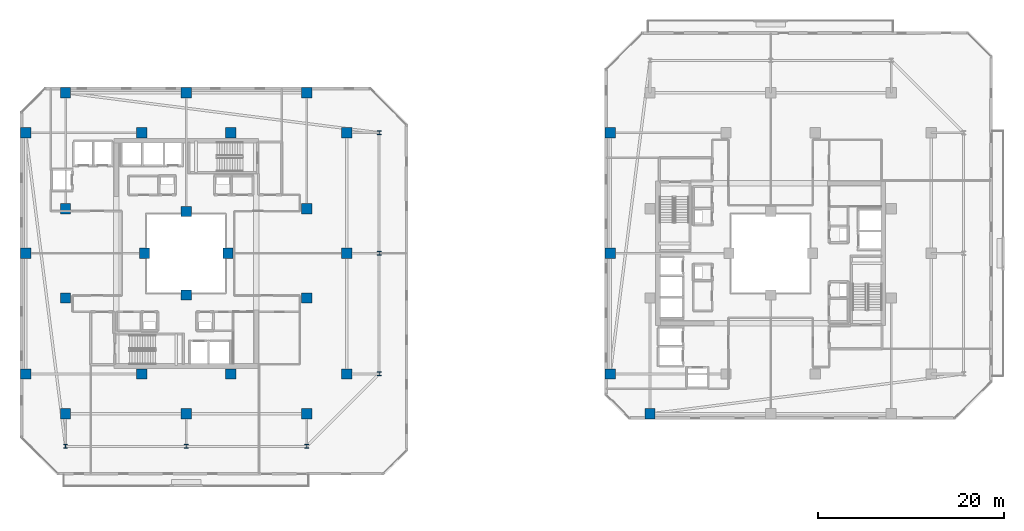
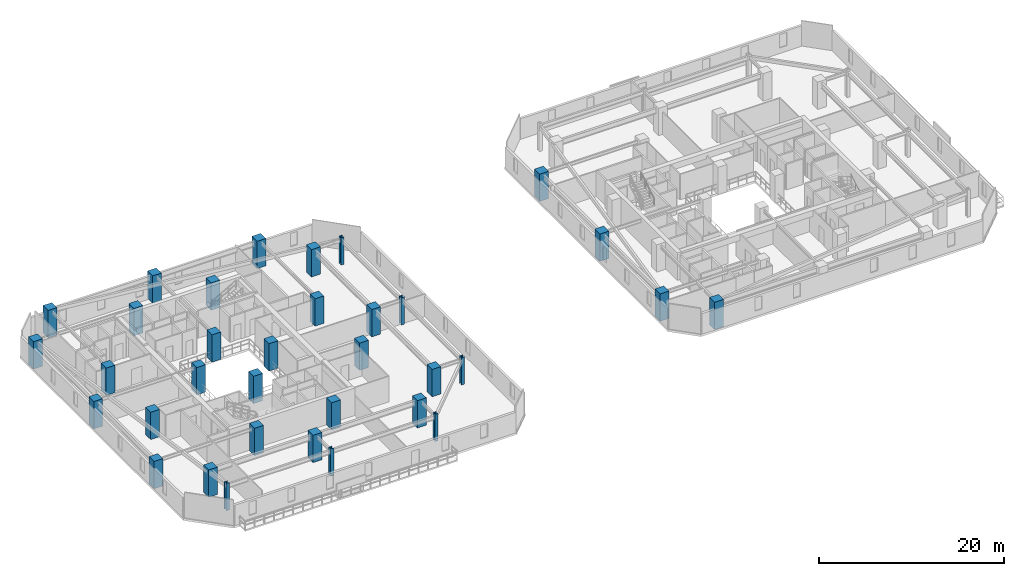
# One storey, part 1 of 32: 34 columns.
"""IFC4 building model written with IfcOpenShell, lengths in metres."""

from ifc_helpers import new_model, si_unit, direction, frame, origin, origin_2d, place, context, subcontext, project, spatial, rectangle, i_section, extrude, material, material_profile, profile_set, type_object, element, save


model = new_model("IFC4")

# Units and contexts
model_context = context("Model", 3, precision=1e-05, world=origin(), true_north=direction((0.0, 1.0)))
body_context = subcontext(model_context, "Body", "Model", "MODEL_VIEW")
ifc_project = project(units=[si_unit("LENGTHUNIT", "METRE"), si_unit("AREAUNIT", "SQUARE_METRE"), si_unit("VOLUMEUNIT", "CUBIC_METRE"), si_unit("PLANEANGLEUNIT", "RADIAN"), si_unit("MASSUNIT", "GRAM", prefix="KILO")], contexts=[model_context])

# Site, building, storey
site_placement = place(None, origin())
site = spatial("IfcSite", under=ifc_project, at=site_placement, CompositionType="ELEMENT")
building_placement = place(site_placement, origin())
building = spatial("IfcBuilding", under=site, at=building_placement, Name="Thornwick Lancets Civic Towers", CompositionType="ELEMENT")
storey_placement = place(building_placement, frame((0.0, 0.0, 152.699951171875)))
storey = spatial("IfcBuildingStorey", under=building, at=storey_placement, Name="L40", CompositionType="ELEMENT", Elevation=152.699951171875)

# Columns
ifc_material_1 = material(Name="Concrete C50/60", Category="concrete")
ifc_material_profile_1 = material_profile(ifc_material_1, rectangle(XDim=1.10009765625, YDim=1.10009765625, at=origin_2d()), Name="RC 1100x1100")
ifc_profile_set_1 = profile_set([ifc_material_profile_1], Name="Concrete C50/60")
column_type_1 = type_object("IfcColumnType", Name="COL_RC_1100", PredefinedType="COLUMN", material=ifc_profile_set_1)
for number, where, z_axis, x_axis, name in (
    (1, (12.5, 9.699951171875, 0.0), (0.0, 0.0, 1.0), (1.0, 0.0, 0.0), "L40 Spine Mega-Column A01"),
    (2, (25.5, 9.699951171875, 0.0), (0.0, 0.0, 1.0), (1.0, 0.0, 0.0), "L40 Spine Mega-Column A02"),
    (3, (38.5, 9.699951171875, 0.0), (0.0, 0.0, 1.0), (1.0, 0.0, 0.0), "L40 Spine Mega-Column A03"),
    (4, (42.800048828125, 14.0, 0.0), (0.0, 0.0, 1.0), (1.0, 0.0, 0.0), "L40 Spine Mega-Column A04"),
    (5, (42.800048828125, 27.0, 0.0), (0.0, 0.0, 1.0), (1.0, 0.0, 0.0), "L40 Spine Mega-Column A05"),
    (6, (42.800048828125, 40.0, 0.0), (0.0, 0.0, 1.0), (1.0, 0.0, 0.0), "L40 Spine Mega-Column A06"),
    (7, (12.5, 44.300048828125, 0.0), (0.0, 0.0, 1.0), (1.0, 0.0, 0.0), "L40 Spine Mega-Column A07"),
    (8, (25.5, 44.300048828125, 0.0), (0.0, 0.0, 1.0), (1.0, 0.0, 0.0), "L40 Spine Mega-Column A08"),
    (9, (38.5, 44.300048828125, 0.0), (0.0, 0.0, 1.0), (1.0, 0.0, 0.0), "L40 Spine Mega-Column A09"),
    (10, (8.199951171875, 14.0, 0.0), (0.0, 0.0, 1.0), (1.0, 0.0, 0.0), "L40 Spine Mega-Column A10"),
    (11, (8.199951171875, 27.0, 0.0), (0.0, 0.0, 1.0), (1.0, 0.0, 0.0), "L40 Spine Mega-Column A11"),
    (12, (8.199951171875, 40.0, 0.0), (0.0, 0.0, 1.0), (1.0, 0.0, 0.0), "L40 Spine Mega-Column A12"),
    (13, (12.5, 22.199951171875, 0.0), (0.0, 0.0, 1.0), (1.0, 0.0, 0.0), "L40 Spine Mega-Column A13"),
    (14, (38.5, 22.199951171875, 0.0), (0.0, 0.0, 1.0), (1.0, 0.0, 0.0), "L40 Spine Mega-Column A14"),
    (15, (12.5, 31.800048828125, 0.0), (0.0, 0.0, 1.0), (1.0, 0.0, 0.0), "L40 Spine Mega-Column A15"),
    (16, (38.5, 31.800048828125, 0.0), (0.0, 0.0, 1.0), (1.0, 0.0, 0.0), "L40 Spine Mega-Column A16"),
    (17, (20.699951171875, 14.0, 0.0), (0.0, 0.0, 1.0), (1.0, 0.0, 0.0), "L40 Spine Mega-Column A17"),
    (18, (30.300048828125, 14.0, 0.0), (0.0, 0.0, 1.0), (1.0, 0.0, 0.0), "L40 Spine Mega-Column A18"),
    (19, (20.699951171875, 40.0, 0.0), (0.0, 0.0, 1.0), (1.0, 0.0, 0.0), "L40 Spine Mega-Column A19"),
    (20, (30.300048828125, 40.0, 0.0), (0.0, 0.0, 1.0), (1.0, 0.0, 0.0), "L40 Spine Mega-Column A20"),
    (21, (25.5, 22.5, 0.0), (0.0, 0.0, 1.0), (1.0, 0.0, 0.0), "L40 Spine Mega-Column A21"),
    (22, (25.5, 31.5, 0.0), (0.0, 0.0, 1.0), (1.0, 0.0, 0.0), "L40 Spine Mega-Column A22"),
    (23, (21.0, 27.0, 0.0), (0.0, 0.0, 1.0), (1.0, 0.0, 0.0), "L40 Spine Mega-Column A23"),
    (24, (30.0, 27.0, 0.0), (0.0, 0.0, 1.0), (1.0, 0.0, 0.0), "L40 Spine Mega-Column A24"),
    (25, (71.199951171875, 14.0, 0.0), (0.0, 0.0, 1.0), (1.0, 0.0, 0.0), "L40 Spine Mega-Column B07"),
    (26, (71.199951171875, 27.0, 0.0), (0.0, 0.0, 1.0), (1.0, 0.0, 0.0), "L40 Spine Mega-Column B08"),
    (27, (71.199951171875, 40.0, 0.0), (0.0, 0.0, 1.0), (1.0, 0.0, 0.0), "L40 Spine Mega-Column B09"),
    (28, (75.5, 9.699951171875, 0.0), (0.0, 0.0, 1.0), (1.0, 0.0, 0.0), "L40 Spine Mega-Column B12"),
):
    element("IfcColumn", number, at=place(storey_placement, frame(where, z_axis=z_axis, x_axis=x_axis)), inside=storey, type_object=column_type_1, Name=name, PredefinedType="COLUMN", context=body_context, shape_type="SweptSolid", body=[
        extrude(rectangle(XDim=1.10009765625, YDim=1.10009765625, at=origin_2d()), origin(), (0.0, 0.0, 1.0), 3.60009765625),
    ])
ifc_material_2 = material(Name="Steel S460M", Category="steel")
ifc_material_profile_2 = material_profile(ifc_material_2, i_section(OverallWidth=0.406982421875, OverallDepth=0.4189453125, WebThickness=0.030517578125, FlangeThickness=0.04931640625, FilletRadius=0.01513671875, at=origin_2d()), Name="UKC 356x406x393")
ifc_profile_set_2 = profile_set([ifc_material_profile_2], Name="Steel S460M")
column_type_2 = type_object("IfcColumnType", Name="COL_UKC_393", PredefinedType="COLUMN", material=ifc_profile_set_2)
for number, where, z_axis, x_axis, name in (
    (29, (12.5, 6.199951171875, 0.0), (0.0, 0.0, 1.0), (1.0, 0.0, 0.0), "L40 Block Perimeter Column A01"),
    (30, (25.5, 6.199951171875, 0.0), (0.0, 0.0, 1.0), (1.0, 0.0, 0.0), "L40 Block Perimeter Column A02"),
    (31, (38.5, 6.199951171875, 0.0), (0.0, 0.0, 1.0), (1.0, 0.0, 0.0), "L40 Block Perimeter Column A03"),
    (32, (46.300048828125, 14.0, 0.0), (0.0, 0.0, 1.0), (1.0, 0.0, 0.0), "L40 Block Perimeter Column A04"),
    (33, (46.300048828125, 27.0, 0.0), (0.0, 0.0, 1.0), (1.0, 0.0, 0.0), "L40 Block Perimeter Column A05"),
    (34, (46.300048828125, 40.0, 0.0), (0.0, 0.0, 1.0), (1.0, 0.0, 0.0), "L40 Block Perimeter Column A06"),
):
    element("IfcColumn", number, at=place(storey_placement, frame(where, z_axis=z_axis, x_axis=x_axis)), inside=storey, type_object=column_type_2, Name=name, PredefinedType="COLUMN", context=body_context, shape_type="SweptSolid", body=[
        extrude(i_section(OverallWidth=0.406982421875, OverallDepth=0.4189453125, WebThickness=0.030517578125, FlangeThickness=0.04931640625, FilletRadius=0.01513671875, at=origin_2d()), origin(), (0.0, 0.0, 1.0), 3.60009765625),
    ])

save(model, "model.ifc")
